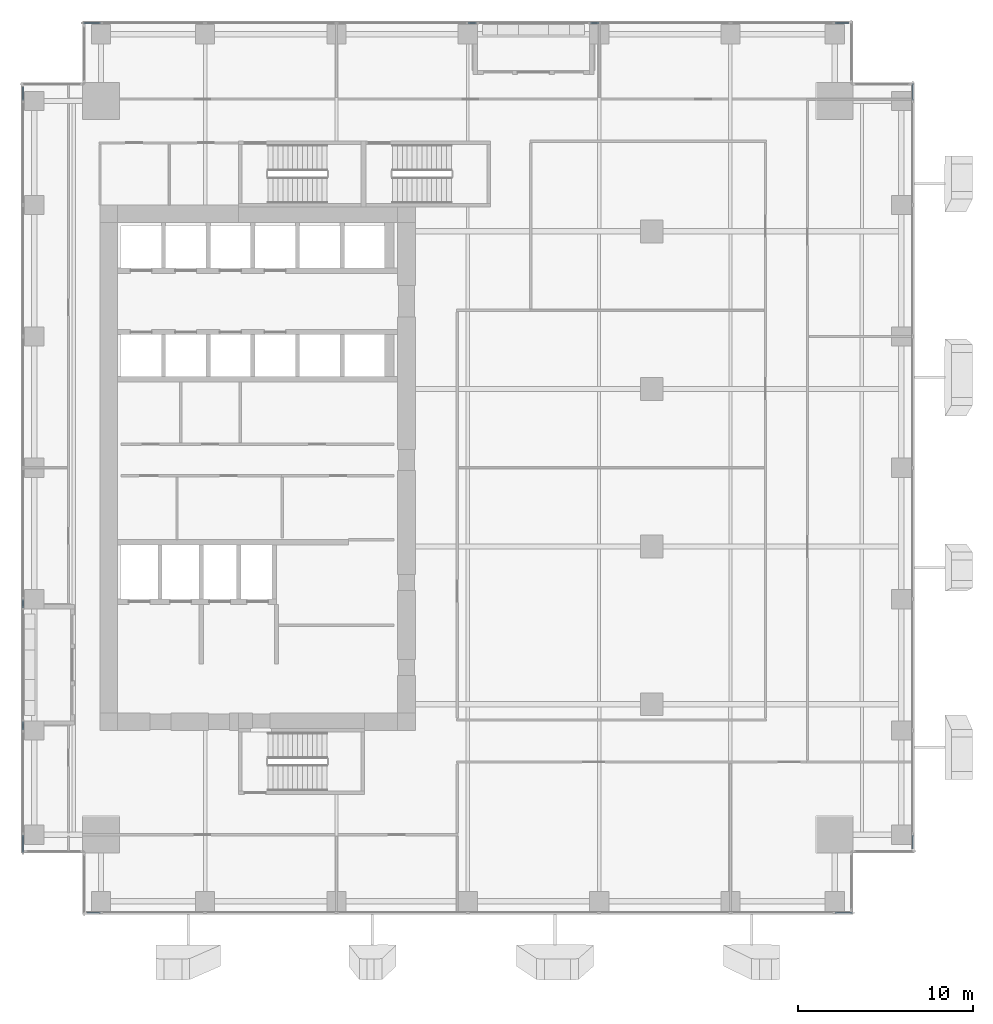
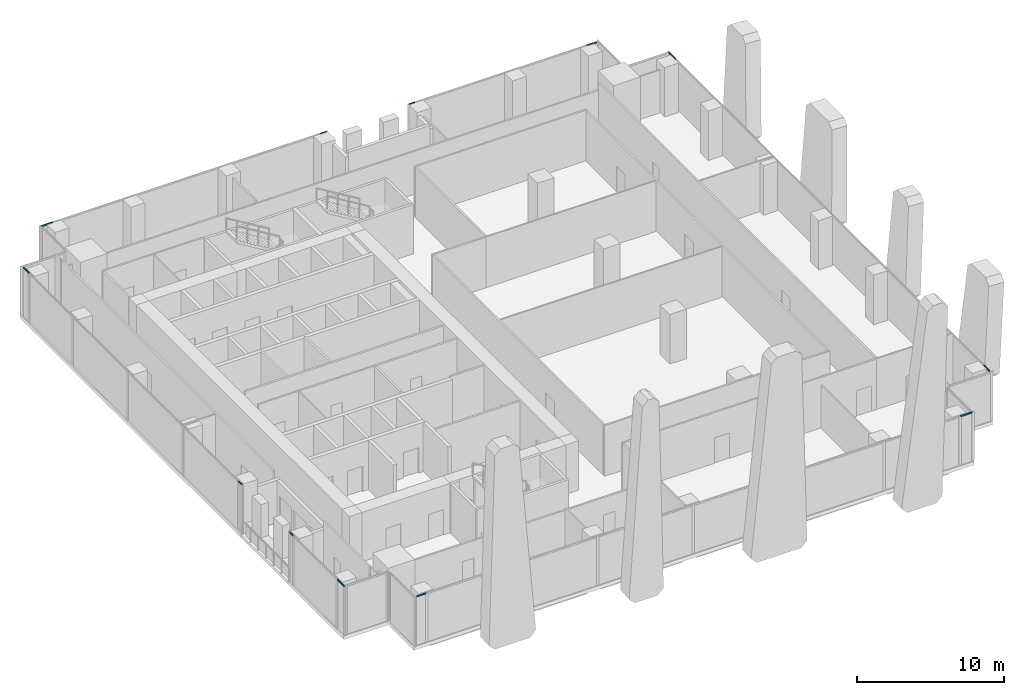
# One storey, part 22 of 35: 12 members, 6 elements without a shape of their own.
"""IFC4 building model written with IfcOpenShell, lengths in metres."""

from ifc_helpers import new_model, si_unit, direction, frame, origin, origin_2d, place, context, subcontext, project, spatial, hollow_rectangle, extrude, source, transform, mapped, material, material_profile, profile_set, type_object, element, aggregate, save


model = new_model("IFC4")

# Units and contexts
model_context = context("Model", 3, precision=1e-05, world=origin(), true_north=direction((0.0, 1.0)))
body_context = subcontext(model_context, "Body", "Model", "MODEL_VIEW")
ifc_project = project(units=[si_unit("LENGTHUNIT", "METRE"), si_unit("AREAUNIT", "SQUARE_METRE"), si_unit("VOLUMEUNIT", "CUBIC_METRE"), si_unit("PLANEANGLEUNIT", "RADIAN"), si_unit("MASSUNIT", "GRAM", prefix="KILO")], contexts=[model_context])

# Site, building, storey
site_placement = place(None, origin())
site = spatial("IfcSite", under=ifc_project, at=site_placement, CompositionType="ELEMENT")
building_placement = place(site_placement, origin())
building = spatial("IfcBuilding", under=site, at=building_placement, Name="Khomas Fold Tower", CompositionType="ELEMENT")
storey_placement = place(building_placement, frame((0.0, 0.0, 119.10009765625)))
storey = spatial("IfcBuildingStorey", under=building, at=storey_placement, Name="L25", CompositionType="ELEMENT", Elevation=119.10009765625)

# Curtain wall, member
ifc_material_1 = material(Name="Aluminium framed double glazing", Category="aluminium")
curtain_wall_type = type_object("IfcCurtainWallType", Name="SK-Unitised clear-glass wall, growing floors CW1", PredefinedType="NOTDEFINED", material=ifc_material_1)
curtain_wall_1_placement = place(storey_placement, origin())
curtain_wall_1 = element("IfcCurtainWall", 1, at=curtain_wall_1_placement, inside=storey, type_object=curtain_wall_type, Name="CW1 run L25 00-0", PredefinedType="NOTDEFINED")
ifc_material_2 = material(Name="Aluminium", Category="aluminium")
ifc_material_profile = material_profile(ifc_material_2, hollow_rectangle(XDim=0.06005859375, YDim=0.1201171875, WallThickness=0.00390625, at=origin_2d()), Name="SK-Unitised clear-glass wall, growing floors transom CW1-T")
ifc_profile_set = profile_set([ifc_material_profile], Name="Aluminium")
member_type = type_object("IfcMemberType", Name="SK-Unitised clear-glass wall, growing floors transom CW1-T", PredefinedType="USERDEFINED", material=ifc_profile_set)
shared_shape_1 = source(origin(), body_context, "Body", "SweptSolid", [
    extrude(hollow_rectangle(XDim=0.06005859375, YDim=0.1201171875, WallThickness=0.00390625, at=origin_2d()), origin(), (0.0, 0.0, 1.0), 0.760009765625),
])
member_1_placement = place(storey_placement, frame((5.260009765625, 1.60009765625, 4.039794921875), z_axis=(1.0, 0.0, 0.0), x_axis=(0.0, 1.0, 0.0)))
member_1 = element("IfcMember", 2, at=member_1_placement, type_object=member_type, Name="CW1 transom 1", ObjectType="TRANSOM", PredefinedType="USERDEFINED", context=body_context, shape_type="MappedRepresentation", body=[
    mapped(shared_shape_1, transform((0.0, 0.0, 0.0))),
])

curtain_wall_2_placement = place(storey_placement, origin())
curtain_wall_2 = element("IfcCurtainWall", 3, at=curtain_wall_2_placement, inside=storey, type_object=curtain_wall_type, Name="CW1 run L25 03-0", PredefinedType="NOTDEFINED")
member_2_placement = place(storey_placement, frame((52.39990234375, 5.260009765625, 4.039794921875), z_axis=(0.0, 1.0, 0.0), x_axis=(-1.0, 0.0, 0.0)))
member_2 = element("IfcMember", 4, at=member_2_placement, type_object=member_type, Name="CW1 transom 1", ObjectType="TRANSOM", PredefinedType="USERDEFINED", context=body_context, shape_type="MappedRepresentation", body=[
    mapped(shared_shape_1, transform((0.0, 0.0, 0.0))),
])

curtain_wall_3_placement = place(storey_placement, origin())
curtain_wall_3 = element("IfcCurtainWall", 5, at=curtain_wall_3_placement, inside=storey, type_object=curtain_wall_type, Name="CW1 run L25 06-0", PredefinedType="NOTDEFINED")
member_3_placement = place(storey_placement, frame((48.739990234375, 52.39990234375, 4.039794921875), z_axis=(-1.0, 0.0, 0.0), x_axis=(0.0, -1.0, 0.0)))
member_3 = element("IfcMember", 6, at=member_3_placement, type_object=member_type, Name="CW1 transom 1", ObjectType="TRANSOM", PredefinedType="USERDEFINED", context=body_context, shape_type="MappedRepresentation", body=[
    mapped(shared_shape_1, transform((0.0, 0.0, 0.0))),
])

curtain_wall_4_placement = place(storey_placement, origin())
curtain_wall_4 = element("IfcCurtainWall", 7, at=curtain_wall_4_placement, inside=storey, type_object=curtain_wall_type, Name="CW1 run L25 09-0", PredefinedType="NOTDEFINED")
member_4_placement = place(storey_placement, frame((1.60009765625, 48.739990234375, 4.039794921875), z_axis=(0.0, -1.0, 0.0), x_axis=(1.0, 0.0, 0.0)))
member_4 = element("IfcMember", 8, at=member_4_placement, type_object=member_type, Name="CW1 transom 1", ObjectType="TRANSOM", PredefinedType="USERDEFINED", context=body_context, shape_type="MappedRepresentation", body=[
    mapped(shared_shape_1, transform((0.0, 0.0, 0.0))),
])

# Member
shared_shape_2 = source(origin(), body_context, "Body", "SweptSolid", [
    extrude(hollow_rectangle(XDim=0.06005859375, YDim=0.1201171875, WallThickness=0.00390625, at=origin_2d()), origin(), (0.0, 0.0, 1.0), 0.9599609375),
])
member_5_placement = place(storey_placement, frame((47.97998046875, 1.60009765625, 4.039794921875), z_axis=(1.0, 0.0, 0.0), x_axis=(0.0, 1.0, 0.0)))
member_5 = element("IfcMember", 9, at=member_5_placement, type_object=member_type, Name="CW1 transom 8", ObjectType="TRANSOM", PredefinedType="USERDEFINED", context=body_context, shape_type="MappedRepresentation", body=[
    mapped(shared_shape_2, transform((0.0, 0.0, 0.0))),
])

aggregate(curtain_wall_1, [member_1, member_5])

member_6_placement = place(storey_placement, frame((52.39990234375, 47.97998046875, 4.039794921875), z_axis=(0.0, 1.0, 0.0), x_axis=(-1.0, 0.0, 0.0)))
member_6 = element("IfcMember", 10, at=member_6_placement, type_object=member_type, Name="CW1 transom 8", ObjectType="TRANSOM", PredefinedType="USERDEFINED", context=body_context, shape_type="MappedRepresentation", body=[
    mapped(shared_shape_2, transform((0.0, 0.0, 0.0))),
])

aggregate(curtain_wall_2, [member_2, member_6])

# Curtain wall, member
curtain_wall_5_placement = place(storey_placement, origin())
curtain_wall_5 = element("IfcCurtainWall", 11, at=curtain_wall_5_placement, inside=storey, type_object=curtain_wall_type, Name="CW1 run L25 06-1", PredefinedType="NOTDEFINED")
member_7_placement = place(storey_placement, frame((6.02001953125, 52.39990234375, 4.039794921875), z_axis=(-1.0, 0.0, 0.0), x_axis=(0.0, -1.0, 0.0)))
member_7 = element("IfcMember", 12, at=member_7_placement, type_object=member_type, Name="CW1 transom 5", ObjectType="TRANSOM", PredefinedType="USERDEFINED", context=body_context, shape_type="MappedRepresentation", body=[
    mapped(shared_shape_2, transform((0.0, 0.0, 0.0))),
])

curtain_wall_6_placement = place(storey_placement, origin())
curtain_wall_6 = element("IfcCurtainWall", 13, at=curtain_wall_6_placement, inside=storey, type_object=curtain_wall_type, Name="CW1 run L25 09-1", PredefinedType="NOTDEFINED")
member_8_placement = place(storey_placement, frame((1.60009765625, 6.02001953125, 4.039794921875), z_axis=(0.0, -1.0, 0.0), x_axis=(1.0, 0.0, 0.0)))
member_8 = element("IfcMember", 14, at=member_8_placement, type_object=member_type, Name="CW1 transom 3", ObjectType="TRANSOM", PredefinedType="USERDEFINED", context=body_context, shape_type="MappedRepresentation", body=[
    mapped(shared_shape_2, transform((0.0, 0.0, 0.0))),
])

# Member
shared_shape_3 = source(origin(), body_context, "Body", "SweptSolid", [
    extrude(hollow_rectangle(XDim=0.06005859375, YDim=0.1201171875, WallThickness=0.00390625, at=origin_2d()), origin(), (0.0, 0.0, 1.0), 0.4599609375),
])
member_9_placement = place(storey_placement, frame((34.469970703125, 52.39990234375, 4.039794921875), z_axis=(-1.0, 0.0, 0.0), x_axis=(0.0, -1.0, 0.0)))
member_9 = element("IfcMember", 15, at=member_9_placement, type_object=member_type, Name="CW1 transom 4", ObjectType="TRANSOM", PredefinedType="USERDEFINED", context=body_context, shape_type="MappedRepresentation", body=[
    mapped(shared_shape_3, transform((0.0, 0.0, 0.0))),
])

aggregate(curtain_wall_3, [member_3, member_9])

member_10_placement = place(storey_placement, frame((27.489990234375, 52.39990234375, 4.039794921875), z_axis=(-1.0, 0.0, 0.0), x_axis=(0.0, -1.0, 0.0)))
member_10 = element("IfcMember", 16, at=member_10_placement, type_object=member_type, Name="CW1 transom 1", ObjectType="TRANSOM", PredefinedType="USERDEFINED", context=body_context, shape_type="MappedRepresentation", body=[
    mapped(shared_shape_3, transform((0.0, 0.0, 0.0))),
])

aggregate(curtain_wall_5, [member_10, member_7])

member_11_placement = place(storey_placement, frame((1.60009765625, 19.469970703125, 4.039794921875), z_axis=(0.0, -1.0, 0.0), x_axis=(1.0, 0.0, 0.0)))
member_11 = element("IfcMember", 17, at=member_11_placement, type_object=member_type, Name="CW1 transom 6", ObjectType="TRANSOM", PredefinedType="USERDEFINED", context=body_context, shape_type="MappedRepresentation", body=[
    mapped(shared_shape_3, transform((0.0, 0.0, 0.0))),
])

aggregate(curtain_wall_4, [member_4, member_11])

member_12_placement = place(storey_placement, frame((1.60009765625, 12.489990234375, 4.039794921875), z_axis=(0.0, -1.0, 0.0), x_axis=(1.0, 0.0, 0.0)))
member_12 = element("IfcMember", 18, at=member_12_placement, type_object=member_type, Name="CW1 transom 1", ObjectType="TRANSOM", PredefinedType="USERDEFINED", context=body_context, shape_type="MappedRepresentation", body=[
    mapped(shared_shape_3, transform((0.0, 0.0, 0.0))),
])

aggregate(curtain_wall_6, [member_12, member_8])

save(model, "model.ifc")
